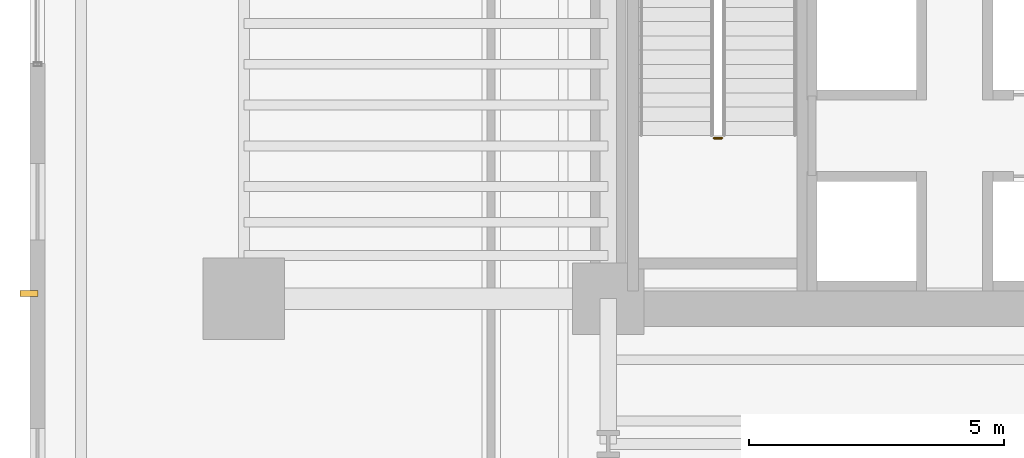
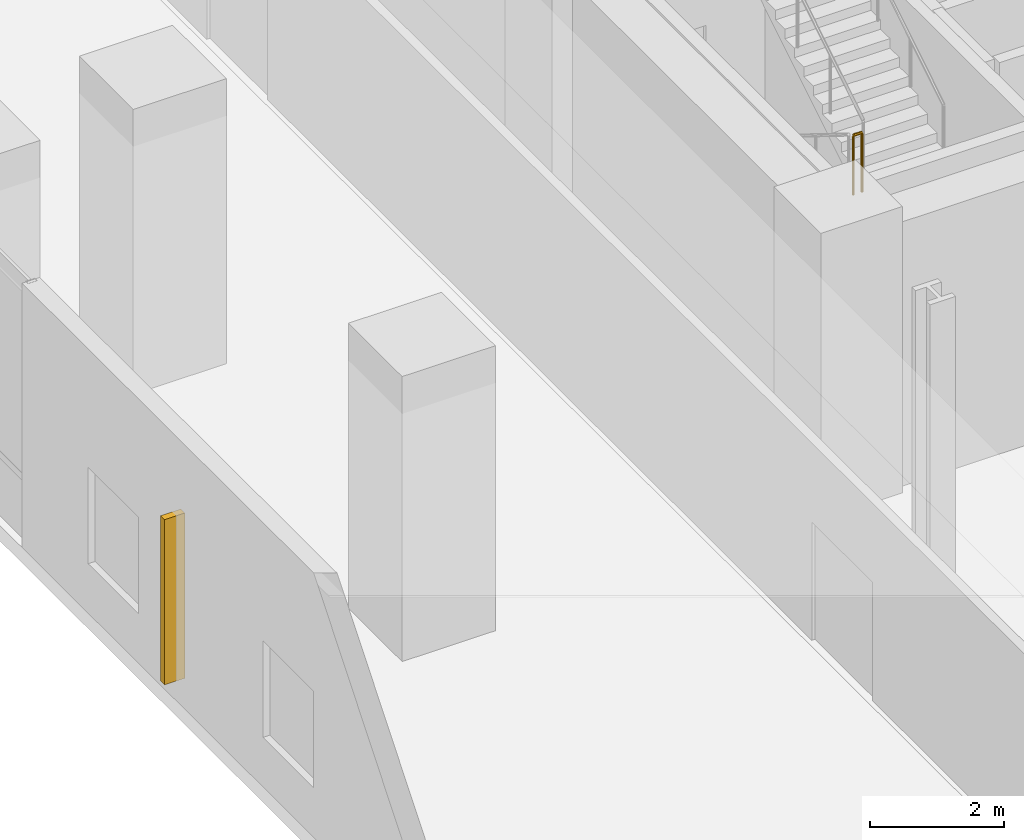
# One storey, part 31 of 39: 1 railing, 1 shading device.
"""IFC4 building model written with IfcOpenShell, lengths in metres."""

from ifc_helpers import new_model, si_unit, direction, frame, origin, origin_2d, place, context, subcontext, project, spatial, rectangle, circle, extrude, source, transform, mapped, material, type_object, element, save


model = new_model("IFC4")

# Units and contexts
model_context = context("Model", 3, precision=1e-05, world=origin(), true_north=direction((0.0, 1.0)))
body_context = subcontext(model_context, "Body", "Model", "MODEL_VIEW")
ifc_project = project(units=[si_unit("LENGTHUNIT", "METRE"), si_unit("AREAUNIT", "SQUARE_METRE"), si_unit("VOLUMEUNIT", "CUBIC_METRE"), si_unit("PLANEANGLEUNIT", "RADIAN"), si_unit("MASSUNIT", "GRAM", prefix="KILO")], contexts=[model_context])

# Site, building, storey
site_placement = place(None, origin())
site = spatial("IfcSite", under=ifc_project, at=site_placement, CompositionType="ELEMENT")
building_placement = place(site_placement, origin())
building = spatial("IfcBuilding", under=site, at=building_placement, Name="Valdorenza Pilgrim Sanctuary Tower", CompositionType="ELEMENT")
storey_placement = place(building_placement, frame((0.0, 0.0, 15.60009765625)))
storey = spatial("IfcBuildingStorey", under=building, at=storey_placement, Name="L03", CompositionType="ELEMENT", Elevation=15.60009765625)

# Railing
ifc_material_1 = material(Name="Stainless steel Grade 316", Category="steel")
railing_type = type_object("IfcRailingType", Name="RLG-GRD-1120", PredefinedType="GUARDRAIL", material=ifc_material_1)
railing_placement = place(storey_placement, frame((-20.570068359375, -7.449951171875, 2.599853515625)))
element("IfcRailing", 1, at=railing_placement, inside=storey, type_object=railing_type, Name="L03 ST-A2 stair guard 2", PredefinedType="GUARDRAIL", context=body_context, shape_type="SweptSolid", body=[
    extrude(circle(Radius=0.02392578125, at=origin_2d()), frame((0.0, 0.0, 1.076171875), z_axis=(1.0, 0.0, 0.0), x_axis=(0.0, 1.0, 0.0)), (0.0, 0.0, 1.0), 0.150146484375),
    extrude(circle(Radius=0.02099609375, at=origin_2d()), origin(), (0.0, 0.0, 1.0), 1.052001953125),
    extrude(circle(Radius=0.02099609375, at=origin_2d()), frame((0.150146484375, 0.0, 0.0)), (0.0, 0.0, 1.0), 1.052001953125),
])

# Shading device
ifc_material_2 = material(Name="Champagne anodised aluminium", Category="aluminium")
shading_device_type = type_object("IfcShadingDeviceType", Name="SHD-FIN-TRV", PredefinedType="SHUTTER", material=ifc_material_2)
shared_shape = source(origin(), body_context, "Body", "SweptSolid", [
    extrude(rectangle(XDim=0.35009765625, YDim=0.1201171875, at=origin_2d()), origin(), (0.0, 0.0, 1.0), 3.0),
])
shading_device_placement = place(storey_placement, frame((-34.02001953125, -10.5, 0.349853515625), z_axis=(0.0, 0.0, 1.0), x_axis=(1.0, 0.0, 0.0)))
element("IfcShadingDevice", 2, at=shading_device_placement, inside=storey, type_object=shading_device_type, Name="L03 West Solar Shading Fin 1", PredefinedType="SHUTTER", context=body_context, shape_type="MappedRepresentation", body=[
    mapped(shared_shape, transform((0.0, 0.0, 0.0), x_axis=(1.0, 0.0, 0.0), y_axis=(0.0, 1.0, 0.0), z_axis=(0.0, 0.0, 1.0), scale=1.0)),
])

save(model, "model.ifc")
